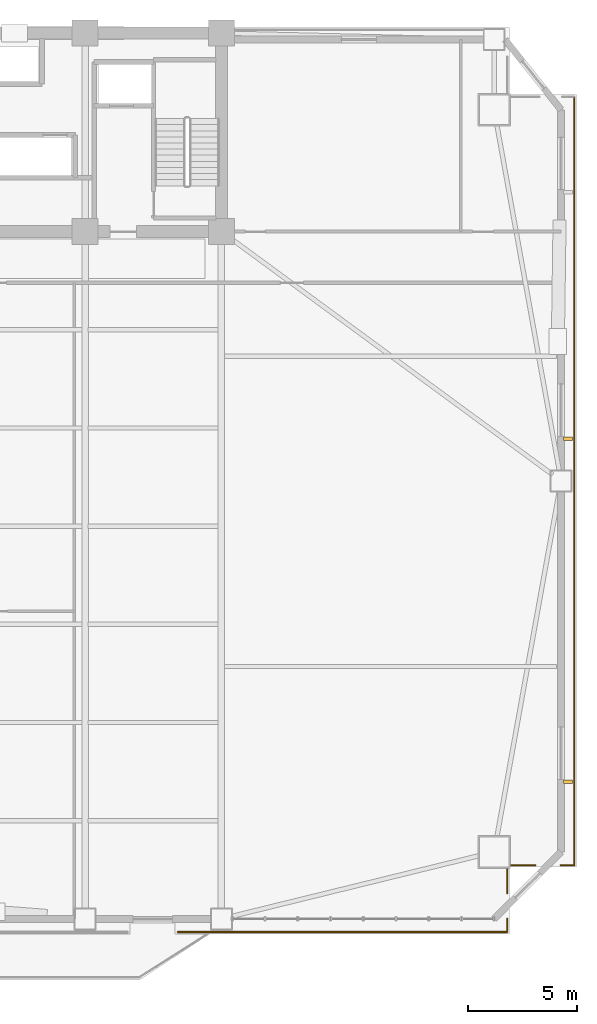
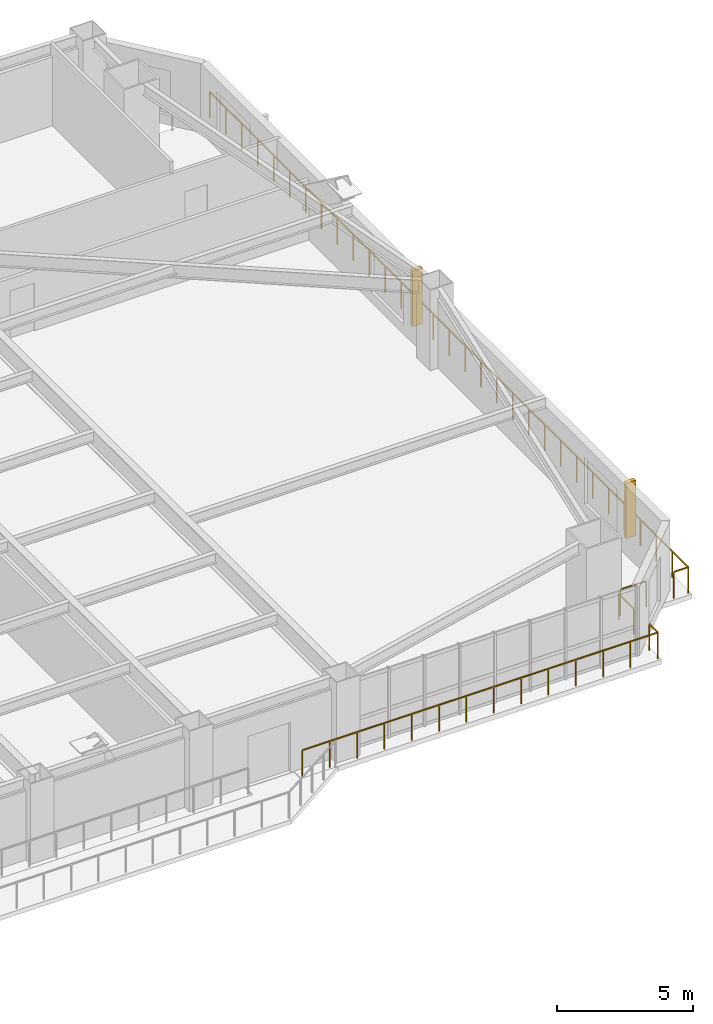
# One storey, part 13 of 16: 6 railings, 2 shading devices.
"""IFC4 building model written with IfcOpenShell, lengths in metres."""

from ifc_helpers import new_model, si_unit, direction, frame, origin, origin_2d, place, context, subcontext, project, spatial, rectangle, extrude, source, transform, mapped, material, type_object, element, save


model = new_model("IFC4")

# Units and contexts
model_context = context("Model", 3, precision=1e-05, world=origin(), true_north=direction((0.0, 1.0)))
body_context = subcontext(model_context, "Body", "Model", "MODEL_VIEW")
ifc_project = project(units=[si_unit("LENGTHUNIT", "METRE"), si_unit("AREAUNIT", "SQUARE_METRE"), si_unit("VOLUMEUNIT", "CUBIC_METRE"), si_unit("PLANEANGLEUNIT", "RADIAN"), si_unit("MASSUNIT", "GRAM", prefix="KILO")], contexts=[model_context])

# Site, building, storey
site_placement = place(None, origin())
site = spatial("IfcSite", under=ifc_project, at=site_placement, CompositionType="ELEMENT")
building_placement = place(site_placement, origin())
building = spatial("IfcBuilding", under=site, at=building_placement, Name="Giltprow Tower", CompositionType="ELEMENT")
storey_placement = place(building_placement, frame((0.0, 0.0, 91.300048828125)))
storey = spatial("IfcBuildingStorey", under=building, at=storey_placement, Name="L22", CompositionType="ELEMENT", Elevation=91.300048828125)

# Railings
ifc_material = material(Name="Anodized bronze", Category="metal")
railing_type = type_object("IfcRailingType", Name="RAIL-BALC-GUARD-1200", PredefinedType="BALUSTRADE", material=ifc_material)
railing_1_placement = place(storey_placement, frame((66.72607421875, 43.6298828125, 0.0)))
element("IfcRailing", 1, at=railing_1_placement, inside=storey, type_object=railing_type, Name="L22 Corner Apron Edge Balustrade 14", PredefinedType="BALUSTRADE", context=body_context, shape_type="SweptSolid", body=[
    extrude(rectangle(XDim=0.048095703125, YDim=0.048095703125, at=origin_2d()), frame((0.0, 0.0, 1.17578125), z_axis=(0.0, -1.0, 0.0), x_axis=(1.0, 0.0, 0.0)), (0.0, 0.0, 1.0), 35.223876953125),
    extrude(rectangle(XDim=0.0419921875, YDim=0.0419921875, at=origin_2d()), origin(), (0.0, 0.0, 1.0), 1.15185546875),
    extrude(rectangle(XDim=0.0419921875, YDim=0.0419921875, at=origin_2d()), frame((0.0, -1.174072265625, 0.0)), (0.0, 0.0, 1.0), 1.15185546875),
    extrude(rectangle(XDim=0.0419921875, YDim=0.0419921875, at=origin_2d()), frame((0.0, -2.34814453125, 0.0)), (0.0, 0.0, 1.0), 1.15185546875),
    extrude(rectangle(XDim=0.0419921875, YDim=0.0419921875, at=origin_2d()), frame((0.0, -3.5224609375, 0.0)), (0.0, 0.0, 1.0), 1.15185546875),
    extrude(rectangle(XDim=0.0419921875, YDim=0.0419921875, at=origin_2d()), frame((0.0, -4.696533203125, 0.0)), (0.0, 0.0, 1.0), 1.15185546875),
    extrude(rectangle(XDim=0.0419921875, YDim=0.0419921875, at=origin_2d()), frame((0.0, -5.87060546875, 0.0)), (0.0, 0.0, 1.0), 1.15185546875),
    extrude(rectangle(XDim=0.0419921875, YDim=0.0419921875, at=origin_2d()), frame((0.0, -7.044677734375, 0.0)), (0.0, 0.0, 1.0), 1.15185546875),
    extrude(rectangle(XDim=0.0419921875, YDim=0.0419921875, at=origin_2d()), frame((0.0, -8.218994140625, 0.0)), (0.0, 0.0, 1.0), 1.15185546875),
    extrude(rectangle(XDim=0.0419921875, YDim=0.0419921875, at=origin_2d()), frame((0.0, -9.39306640625, 0.0)), (0.0, 0.0, 1.0), 1.15185546875),
    extrude(rectangle(XDim=0.0419921875, YDim=0.0419921875, at=origin_2d()), frame((0.0, -10.567138671875, 0.0)), (0.0, 0.0, 1.0), 1.15185546875),
    extrude(rectangle(XDim=0.0419921875, YDim=0.0419921875, at=origin_2d()), frame((0.0, -11.7412109375, 0.0)), (0.0, 0.0, 1.0), 1.15185546875),
    extrude(rectangle(XDim=0.0419921875, YDim=0.0419921875, at=origin_2d()), frame((0.0, -12.91552734375, 0.0)), (0.0, 0.0, 1.0), 1.15185546875),
    extrude(rectangle(XDim=0.0419921875, YDim=0.0419921875, at=origin_2d()), frame((0.0, -14.089599609375, 0.0)), (0.0, 0.0, 1.0), 1.15185546875),
    extrude(rectangle(XDim=0.0419921875, YDim=0.0419921875, at=origin_2d()), frame((0.0, -15.263671875, 0.0)), (0.0, 0.0, 1.0), 1.15185546875),
    extrude(rectangle(XDim=0.0419921875, YDim=0.0419921875, at=origin_2d()), frame((0.0, -16.437744140625, 0.0)), (0.0, 0.0, 1.0), 1.15185546875),
    extrude(rectangle(XDim=0.0419921875, YDim=0.0419921875, at=origin_2d()), frame((0.0, -17.61181640625, 0.0)), (0.0, 0.0, 1.0), 1.15185546875),
    extrude(rectangle(XDim=0.0419921875, YDim=0.0419921875, at=origin_2d()), frame((0.0, -18.7861328125, 0.0)), (0.0, 0.0, 1.0), 1.15185546875),
    extrude(rectangle(XDim=0.0419921875, YDim=0.0419921875, at=origin_2d()), frame((0.0, -19.960205078125, 0.0)), (0.0, 0.0, 1.0), 1.15185546875),
    extrude(rectangle(XDim=0.0419921875, YDim=0.0419921875, at=origin_2d()), frame((0.0, -21.13427734375, 0.0)), (0.0, 0.0, 1.0), 1.15185546875),
    extrude(rectangle(XDim=0.0419921875, YDim=0.0419921875, at=origin_2d()), frame((0.0, -22.308349609375, 0.0)), (0.0, 0.0, 1.0), 1.15185546875),
    extrude(rectangle(XDim=0.0419921875, YDim=0.0419921875, at=origin_2d()), frame((0.0, -23.482666015625, 0.0)), (0.0, 0.0, 1.0), 1.15185546875),
    extrude(rectangle(XDim=0.0419921875, YDim=0.0419921875, at=origin_2d()), frame((0.0, -24.65673828125, 0.0)), (0.0, 0.0, 1.0), 1.15185546875),
    extrude(rectangle(XDim=0.0419921875, YDim=0.0419921875, at=origin_2d()), frame((0.0, -25.830810546875, 0.0)), (0.0, 0.0, 1.0), 1.15185546875),
    extrude(rectangle(XDim=0.0419921875, YDim=0.0419921875, at=origin_2d()), frame((0.0, -27.0048828125, 0.0)), (0.0, 0.0, 1.0), 1.15185546875),
    extrude(rectangle(XDim=0.0419921875, YDim=0.0419921875, at=origin_2d()), frame((0.0, -28.17919921875, 0.0)), (0.0, 0.0, 1.0), 1.15185546875),
    extrude(rectangle(XDim=0.0419921875, YDim=0.0419921875, at=origin_2d()), frame((0.0, -29.353271484375, 0.0)), (0.0, 0.0, 1.0), 1.15185546875),
    extrude(rectangle(XDim=0.0419921875, YDim=0.0419921875, at=origin_2d()), frame((0.0, -30.52734375, 0.0)), (0.0, 0.0, 1.0), 1.15185546875),
    extrude(rectangle(XDim=0.0419921875, YDim=0.0419921875, at=origin_2d()), frame((0.0, -31.701416015625, 0.0)), (0.0, 0.0, 1.0), 1.15185546875),
    extrude(rectangle(XDim=0.0419921875, YDim=0.0419921875, at=origin_2d()), frame((0.0, -32.875732421875, 0.0)), (0.0, 0.0, 1.0), 1.15185546875),
    extrude(rectangle(XDim=0.0419921875, YDim=0.0419921875, at=origin_2d()), frame((0.0, -34.0498046875, 0.0)), (0.0, 0.0, 1.0), 1.15185546875),
    extrude(rectangle(XDim=0.0419921875, YDim=0.0419921875, at=origin_2d()), frame((0.0, -35.223876953125, 0.0)), (0.0, 0.0, 1.0), 1.15185546875),
])
railing_2_placement = place(storey_placement, frame((66.72607421875, 8.406005859375, 0.0)))
element("IfcRailing", 2, at=railing_2_placement, inside=storey, type_object=railing_type, Name="L22 Corner Apron Edge Balustrade 15", PredefinedType="BALUSTRADE", context=body_context, shape_type="SweptSolid", body=[
    extrude(rectangle(XDim=0.048095703125, YDim=0.048095703125, at=origin_2d()), frame((0.0, 0.0, 1.17578125), z_axis=(-1.0, 0.0, 0.0), x_axis=(0.0, -1.0, 0.0)), (0.0, 0.0, 1.0), 0.6201171875),
    extrude(rectangle(XDim=0.0419921875, YDim=0.0419921875, at=origin_2d()), origin(), (0.0, 0.0, 1.0), 1.15185546875),
    extrude(rectangle(XDim=0.0419921875, YDim=0.0419921875, at=origin_2d()), frame((-0.6201171875, 0.0, 0.0)), (0.0, 0.0, 1.0), 1.15185546875),
])
railing_3_placement = place(storey_placement, frame((64.946044921875, 8.406005859375, 0.0)))
element("IfcRailing", 3, at=railing_3_placement, inside=storey, type_object=railing_type, Name="L22 Corner Apron Edge Balustrade 16", PredefinedType="BALUSTRADE", context=body_context, shape_type="SweptSolid", body=[
    extrude(rectangle(XDim=0.048095703125, YDim=0.048095703125, at=origin_2d()), frame((0.0, 0.0, 1.17578125), z_axis=(-1.0, 0.0, 0.0), x_axis=(0.0, -1.0, 0.0)), (0.0, 0.0, 1.0), 1.10498046875),
    extrude(rectangle(XDim=0.0419921875, YDim=0.0419921875, at=origin_2d()), origin(), (0.0, 0.0, 1.0), 1.15185546875),
    extrude(rectangle(XDim=0.0419921875, YDim=0.0419921875, at=origin_2d()), frame((-1.10498046875, 0.0, 0.0)), (0.0, 0.0, 1.0), 1.15185546875),
])
railing_4_placement = place(storey_placement, frame((63.656005859375, 8.220947265625, 0.0)))
element("IfcRailing", 4, at=railing_4_placement, inside=storey, type_object=railing_type, Name="L22 Corner Apron Edge Balustrade 17", PredefinedType="BALUSTRADE", context=body_context, shape_type="SweptSolid", body=[
    extrude(rectangle(XDim=0.048095703125, YDim=0.048095703125, at=origin_2d()), frame((0.0, 0.0, 1.17578125), z_axis=(0.0, -1.0, 0.0), x_axis=(1.0, 0.0, 0.0)), (0.0, 0.0, 1.0), 1.10498046875),
    extrude(rectangle(XDim=0.0419921875, YDim=0.0419921875, at=origin_2d()), origin(), (0.0, 0.0, 1.0), 1.15185546875),
    extrude(rectangle(XDim=0.0419921875, YDim=0.0419921875, at=origin_2d()), frame((0.0, -1.10498046875, 0.0)), (0.0, 0.0, 1.0), 1.15185546875),
])
railing_5_placement = place(storey_placement, frame((63.656005859375, 5.9560546875, 0.0)))
element("IfcRailing", 5, at=railing_5_placement, inside=storey, type_object=railing_type, Name="L22 Corner Apron Edge Balustrade 18", PredefinedType="BALUSTRADE", context=body_context, shape_type="SweptSolid", body=[
    extrude(rectangle(XDim=0.048095703125, YDim=0.048095703125, at=origin_2d()), frame((0.0, 0.0, 1.17578125), z_axis=(0.0, -1.0, 0.0), x_axis=(1.0, 0.0, 0.0)), (0.0, 0.0, 1.0), 0.6201171875),
    extrude(rectangle(XDim=0.0419921875, YDim=0.0419921875, at=origin_2d()), origin(), (0.0, 0.0, 1.0), 1.15185546875),
    extrude(rectangle(XDim=0.0419921875, YDim=0.0419921875, at=origin_2d()), frame((0.0, -0.6201171875, 0.0)), (0.0, 0.0, 1.0), 1.15185546875),
])
railing_6_placement = place(storey_placement, frame((63.656005859375, 5.3359375, 0.0)))
element("IfcRailing", 6, at=railing_6_placement, inside=storey, type_object=railing_type, Name="L22 Corner Apron Edge Balustrade 19", PredefinedType="BALUSTRADE", context=body_context, shape_type="SweptSolid", body=[
    extrude(rectangle(XDim=0.048095703125, YDim=0.048095703125, at=origin_2d()), frame((0.0, 0.0, 1.17578125), z_axis=(-1.0, 0.0, 0.0), x_axis=(0.0, -1.0, 0.0)), (0.0, 0.0, 1.0), 15.10595703125),
    extrude(rectangle(XDim=0.0419921875, YDim=0.0419921875, at=origin_2d()), origin(), (0.0, 0.0, 1.0), 1.15185546875),
    extrude(rectangle(XDim=0.0419921875, YDim=0.0419921875, at=origin_2d()), frame((-1.162109375, 0.0, 0.0)), (0.0, 0.0, 1.0), 1.15185546875),
    extrude(rectangle(XDim=0.0419921875, YDim=0.0419921875, at=origin_2d()), frame((-2.323974609375, 0.0, 0.0)), (0.0, 0.0, 1.0), 1.15185546875),
    extrude(rectangle(XDim=0.0419921875, YDim=0.0419921875, at=origin_2d()), frame((-3.486083984375, 0.0, 0.0)), (0.0, 0.0, 1.0), 1.15185546875),
    extrude(rectangle(XDim=0.0419921875, YDim=0.0419921875, at=origin_2d()), frame((-4.64794921875, 0.0, 0.0)), (0.0, 0.0, 1.0), 1.15185546875),
    extrude(rectangle(XDim=0.0419921875, YDim=0.0419921875, at=origin_2d()), frame((-5.81005859375, 0.0, 0.0)), (0.0, 0.0, 1.0), 1.15185546875),
    extrude(rectangle(XDim=0.0419921875, YDim=0.0419921875, at=origin_2d()), frame((-6.971923828125, 0.0, 0.0)), (0.0, 0.0, 1.0), 1.15185546875),
    extrude(rectangle(XDim=0.0419921875, YDim=0.0419921875, at=origin_2d()), frame((-8.134033203125, 0.0, 0.0)), (0.0, 0.0, 1.0), 1.15185546875),
    extrude(rectangle(XDim=0.0419921875, YDim=0.0419921875, at=origin_2d()), frame((-9.2958984375, 0.0, 0.0)), (0.0, 0.0, 1.0), 1.15185546875),
    extrude(rectangle(XDim=0.0419921875, YDim=0.0419921875, at=origin_2d()), frame((-10.4580078125, 0.0, 0.0)), (0.0, 0.0, 1.0), 1.15185546875),
    extrude(rectangle(XDim=0.0419921875, YDim=0.0419921875, at=origin_2d()), frame((-11.619873046875, 0.0, 0.0)), (0.0, 0.0, 1.0), 1.15185546875),
    extrude(rectangle(XDim=0.0419921875, YDim=0.0419921875, at=origin_2d()), frame((-12.781982421875, 0.0, 0.0)), (0.0, 0.0, 1.0), 1.15185546875),
    extrude(rectangle(XDim=0.0419921875, YDim=0.0419921875, at=origin_2d()), frame((-13.94384765625, 0.0, 0.0)), (0.0, 0.0, 1.0), 1.15185546875),
    extrude(rectangle(XDim=0.0419921875, YDim=0.0419921875, at=origin_2d()), frame((-15.10595703125, 0.0, 0.0)), (0.0, 0.0, 1.0), 1.15185546875),
])

# Shading devices
shading_device_type = type_object("IfcShadingDeviceType", Name="SHD-FIN-420", PredefinedType="USERDEFINED", material=ifc_material)
shared_shape = source(origin(), body_context, "Body", "SweptSolid", [
    extrude(rectangle(XDim=0.419921875, YDim=0.159912109375, at=origin_2d()), origin(), (0.0, 0.0, 1.0), 2.5),
])
for number, where, z_axis, x_axis, name in (
    (7, (66.446044921875, 12.218994140625, 0.349853515625), (0.0, 0.0, 1.0), (1.0, 0.0, 0.0), "L22 E Bronze Vertical Fin 1-1"),
    (8, (66.446044921875, 27.943115234375, 0.349853515625), (0.0, 0.0, 1.0), (1.0, 0.0, 0.0), "L22 E Bronze Vertical Fin 2-1"),
):
    element("IfcShadingDevice", number, at=place(storey_placement, frame(where, z_axis=z_axis, x_axis=x_axis)), inside=storey, type_object=shading_device_type, Name=name, ObjectType="FIN", PredefinedType="USERDEFINED", context=body_context, shape_type="MappedRepresentation", body=[
        mapped(shared_shape, transform((0.0, 0.0, 0.0), x_axis=(1.0, 0.0, 0.0), y_axis=(0.0, 1.0, 0.0), z_axis=(0.0, 0.0, 1.0), scale=1.0)),
    ])

save(model, "model.ifc")
